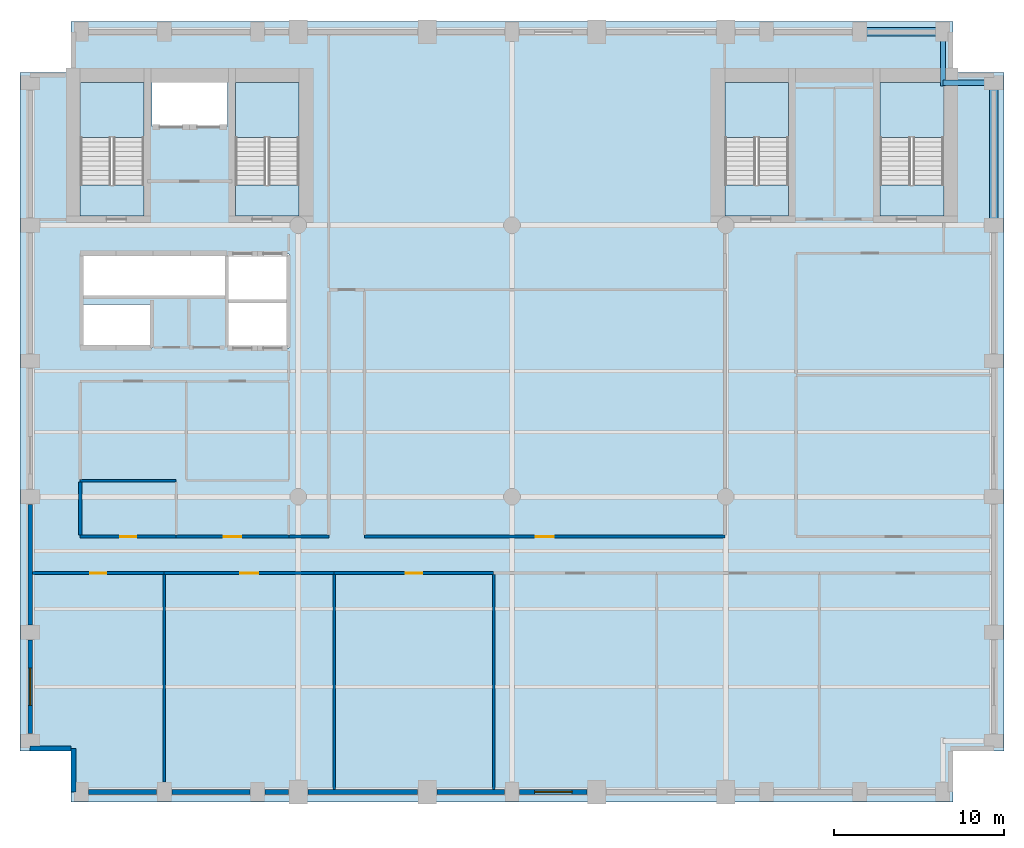
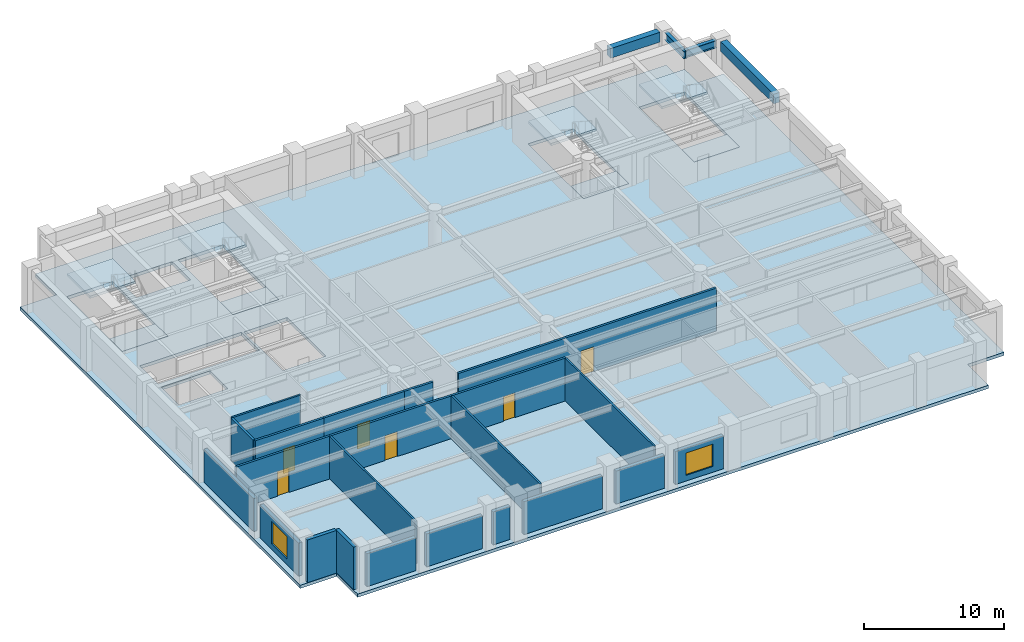
# One storey, part 2 of 8: 22 walls, 9 slabs, 6 doors, 4 beams, 2 windows, 8 openings, 4 elements without a shape of their own.
"""IFC4 building model written with IfcOpenShell, lengths in metres."""

from ifc_helpers import new_model, si_unit, direction, frame, frame_2d, origin, origin_2d, place, context, subcontext, project, spatial, polyline, rectangle, i_section, outline, extrude, material, layer, layer_set, material_profile, profile_set, type_object, element, fill, aggregate, save


model = new_model("IFC4")

# Units and contexts
model_context = context("Model", 3, precision=1e-05, world=origin(), true_north=direction((0.0, 1.0)))
body_context = subcontext(model_context, "Body", "Model", "MODEL_VIEW")
ifc_project = project(units=[si_unit("LENGTHUNIT", "METRE"), si_unit("AREAUNIT", "SQUARE_METRE"), si_unit("VOLUMEUNIT", "CUBIC_METRE"), si_unit("PLANEANGLEUNIT", "RADIAN"), si_unit("MASSUNIT", "GRAM", prefix="KILO")], contexts=[model_context])

# Site, building, storey
site_placement = place(None, origin())
site = spatial("IfcSite", under=ifc_project, at=site_placement, CompositionType="ELEMENT")
building_placement = place(site_placement, origin())
building = spatial("IfcBuilding", under=site, at=building_placement, Name="Sulina Concourse Tower", CompositionType="ELEMENT")
storey_placement = place(building_placement, frame((0.0, 0.0, 100.60009765625)))
storey = spatial("IfcBuildingStorey", under=building, at=storey_placement, Name="L24", CompositionType="ELEMENT", Elevation=100.60009765625)

# Beams
ifc_material_1 = material(Name="Steel S355", Category="steel")
ifc_material_profile_1 = material_profile(ifc_material_1, i_section(OverallWidth=0.300048828125, OverallDepth=0.64990234375, WebThickness=0.01611328125, FlangeThickness=0.031005859375, at=origin_2d()), Name="HE 650 B")
ifc_profile_set_1 = profile_set([ifc_material_profile_1], Name="Steel S355")
beam_type_1 = type_object("IfcBeamType", Name="Floor Primary Girder Zone 2 HE650B", PredefinedType="BEAM", material=ifc_profile_set_1)
beam_1_placement = place(storey_placement, frame((54.39990234375, 42.39990234375, 3.39990234375), z_axis=(1.0, 0.0, 0.0), x_axis=(0.0, 1.0, 0.0)))
element("IfcBeam", 1, at=beam_1_placement, inside=storey, type_object=beam_type_1, Name="TIE-NE-L24", PredefinedType="BEAM", context=body_context, shape_type="SweptSolid", body=[
    extrude(i_section(OverallWidth=0.300048828125, OverallDepth=0.64990234375, WebThickness=0.01611328125, FlangeThickness=0.031005859375, at=origin_2d()), origin(), (0.0, 0.0, 1.0), 2.59521484375),
])
beam_2_placement = place(storey_placement, frame((54.39990234375, 42.199951171875, 3.39990234375), z_axis=(0.0, 1.0, 0.0), x_axis=(-1.0, 0.0, 0.0)))
element("IfcBeam", 2, at=beam_2_placement, inside=storey, type_object=beam_type_1, Name="TIE-NEN-L24", PredefinedType="BEAM", context=body_context, shape_type="SweptSolid", body=[
    extrude(i_section(OverallWidth=0.300048828125, OverallDepth=0.64990234375, WebThickness=0.01611328125, FlangeThickness=0.031005859375, at=origin_2d()), origin(), (0.0, 0.0, 1.0), 2.795166015625),
])
ifc_material_2 = material(Name="Precast concrete C50/60", Category="concrete")
ifc_material_profile_2 = material_profile(ifc_material_2, rectangle(XDim=0.5, YDim=0.85009765625, at=origin_2d()), Name="RC 500x850")
ifc_profile_set_2 = profile_set([ifc_material_profile_2], Name="Precast concrete C50/60")
beam_type_2 = type_object("IfcBeamType", Name="Lower Precast Spandrel Edge Beam 500x850", PredefinedType="BEAM", material=ifc_profile_set_2)
beam_3_placement = place(storey_placement, frame((49.905029296875, 45.39990234375, 3.2998046875), z_axis=(1.0, 0.0, 0.0), x_axis=(0.0, 1.0, 0.0)))
element("IfcBeam", 3, at=beam_3_placement, inside=storey, type_object=beam_type_2, Name="SP-N10-L24", PredefinedType="BEAM", context=body_context, shape_type="SweptSolid", body=[
    extrude(rectangle(XDim=0.5, YDim=0.85009765625, at=origin_2d()), origin(), (0.0, 0.0, 1.0), 4.090087890625),
])
beam_4_placement = place(storey_placement, frame((57.39990234375, 34.405029296875, 3.2998046875), z_axis=(0.0, 1.0, 0.0), x_axis=(-1.0, 0.0, 0.0)))
element("IfcBeam", 4, at=beam_4_placement, inside=storey, type_object=beam_type_2, Name="SP-E5-L24", PredefinedType="BEAM", context=body_context, shape_type="SweptSolid", body=[
    extrude(rectangle(XDim=0.5, YDim=0.85009765625, at=origin_2d()), origin(), (0.0, 0.0, 1.0), 7.590087890625),
])

# Slabs
ifc_material_3 = material(Name="Concrete C50/60", Category="concrete")
ifc_layer_1 = layer(ifc_material_3, 0.27490234375)
ifc_layer_set_1 = layer_set([ifc_layer_1], Name="Concrete C50/60")
slab_type_1 = type_object("IfcSlabType", Name="Mid-Rise Composite Floor Slab 275mm", PredefinedType="FLOOR", material=ifc_layer_set_1)
slab_1_placement = place(storey_placement, frame((0.0, 0.0, -0.275146484375)))
element("IfcSlab", 5, at=slab_1_placement, inside=storey, type_object=slab_type_1, Name="L24 structural floor slab", PredefinedType="FLOOR", context=body_context, shape_type="SweptSolid", body=[
    extrude(outline(polyline([(3.0, 0.0), (55.0, 0.0), (55.0, 3.0), (58.0, 3.0), (58.0, 43.0), (55.0, 43.0), (55.0, 46.0), (3.0, 46.0), (3.0, 43.0), (0.0, 43.0), (0.0, 3.0), (3.0, 3.0), (3.0, 0.0)]), holes=[polyline([(7.31005859375, 34.550048828125), (7.31005859375, 42.429931640625), (3.550048828125, 42.429931640625), (3.550048828125, 34.550048828125), (7.31005859375, 34.550048828125)]), polyline([(16.449951171875, 34.550048828125), (16.449951171875, 42.429931640625), (12.68994140625, 42.429931640625), (12.68994140625, 34.550048828125), (16.449951171875, 34.550048828125)]), polyline([(45.31005859375, 34.550048828125), (45.31005859375, 42.429931640625), (41.550048828125, 42.429931640625), (41.550048828125, 34.550048828125), (45.31005859375, 34.550048828125)]), polyline([(54.449951171875, 34.550048828125), (54.449951171875, 42.429931640625), (50.68994140625, 42.429931640625), (50.68994140625, 34.550048828125), (54.449951171875, 34.550048828125)]), polyline([(7.780029296875, 39.830078125), (12.219970703125, 39.830078125), (12.219970703125, 42.449951171875), (7.780029296875, 42.449951171875), (7.780029296875, 39.830078125)]), polyline([(3.739990234375, 26.780029296875), (7.77001953125, 26.780029296875), (7.77001953125, 29.320068359375), (3.739990234375, 29.320068359375), (3.739990234375, 26.780029296875)]), polyline([(3.739990234375, 29.780029296875), (12.10009765625, 29.780029296875), (12.10009765625, 32.3701171875), (3.739990234375, 32.3701171875), (3.739990234375, 29.780029296875)]), polyline([(12.280029296875, 26.780029296875), (15.85009765625, 26.780029296875), (15.85009765625, 32.320068359375), (12.280029296875, 32.320068359375), (12.280029296875, 26.780029296875)])]), origin(), (0.0, 0.0, 1.0), 0.275146484375),
])
ifc_material_4 = material(Name="Concrete C50/60", Category="concrete")
ifc_layer_2 = layer(ifc_material_4, 0.199951171875)
ifc_layer_set_2 = layer_set([ifc_layer_2], Name="Concrete C50/60")
slab_type_2 = type_object("IfcSlabType", Name="Primary Core Stair Landing Slab 200mm", PredefinedType="LANDING", material=ifc_layer_set_2)
slab_2_placement = place(storey_placement, frame((0.0, 0.0, -0.2001953125)))
element("IfcSlab", 6, at=slab_2_placement, inside=storey, type_object=slab_type_2, Name="L24 ST-1 floor landing slab", PredefinedType="LANDING", context=body_context, shape_type="SweptSolid", body=[
    extrude(outline(polyline([(7.31005859375, 34.550048828125), (7.31005859375, 36.375), (3.550048828125, 36.375), (3.550048828125, 34.550048828125), (7.31005859375, 34.550048828125)])), origin(), (0.0, 0.0, 1.0), 0.2001953125),
])
slab_3_placement = place(storey_placement, frame((0.0, 0.0, -0.2001953125)))
element("IfcSlab", 7, at=slab_3_placement, inside=storey, type_object=slab_type_2, Name="L24 ST-2 floor landing slab", PredefinedType="LANDING", context=body_context, shape_type="SweptSolid", body=[
    extrude(outline(polyline([(16.449951171875, 34.550048828125), (16.449951171875, 36.375), (12.68994140625, 36.375), (12.68994140625, 34.550048828125), (16.449951171875, 34.550048828125)])), origin(), (0.0, 0.0, 1.0), 0.2001953125),
])
slab_4_placement = place(storey_placement, frame((0.0, 0.0, -0.2001953125)))
element("IfcSlab", 8, at=slab_4_placement, inside=storey, type_object=slab_type_2, Name="L24 ST-3 floor landing slab", PredefinedType="LANDING", context=body_context, shape_type="SweptSolid", body=[
    extrude(outline(polyline([(45.31005859375, 34.550048828125), (45.31005859375, 36.375), (41.550048828125, 36.375), (41.550048828125, 34.550048828125), (45.31005859375, 34.550048828125)])), origin(), (0.0, 0.0, 1.0), 0.2001953125),
])
slab_5_placement = place(storey_placement, frame((0.0, 0.0, -0.2001953125)))
element("IfcSlab", 9, at=slab_5_placement, inside=storey, type_object=slab_type_2, Name="L24 ST-4 floor landing slab", PredefinedType="LANDING", context=body_context, shape_type="SweptSolid", body=[
    extrude(outline(polyline([(54.449951171875, 34.550048828125), (54.449951171875, 36.375), (50.68994140625, 36.375), (50.68994140625, 34.550048828125), (54.449951171875, 34.550048828125)])), origin(), (0.0, 0.0, 1.0), 0.2001953125),
])

# Stair, slab
ifc_material_5 = material(Name="Concrete C50/60", Category="concrete")
stair_type_1 = type_object("IfcStairType", Name="Primary Core Dog-Leg Exit Stair 1800mm", PredefinedType="HALF_TURN_STAIR", material=ifc_material_5)
stair_1_placement = place(storey_placement, origin())
stair_1 = element("IfcStair", 10, at=stair_1_placement, inside=storey, type_object=stair_type_1, Name="L24 ST-1", PredefinedType="HALF_TURN_STAIR")
slab_6_placement = place(storey_placement, frame((0.0, 0.0, 1.7998046875)))
slab_6 = element("IfcSlab", 11, at=slab_6_placement, type_object=slab_type_2, Name="ST-1 landing 1", PredefinedType="LANDING", context=body_context, shape_type="SweptSolid", body=[
    extrude(outline(polyline([(7.304931640625, 39.175048828125), (7.304931640625, 42.425048828125), (3.554931640625, 42.425048828125), (3.554931640625, 39.175048828125), (7.304931640625, 39.175048828125)])), origin(), (0.0, 0.0, 1.0), 0.2001953125),
])
aggregate(stair_1, [slab_6])

stair_2_placement = place(storey_placement, origin())
stair_2 = element("IfcStair", 12, at=stair_2_placement, inside=storey, type_object=stair_type_1, Name="L24 ST-2", PredefinedType="HALF_TURN_STAIR")
slab_7_placement = place(storey_placement, frame((0.0, 0.0, 1.7998046875)))
slab_7 = element("IfcSlab", 13, at=slab_7_placement, type_object=slab_type_2, Name="ST-2 landing 1", PredefinedType="LANDING", context=body_context, shape_type="SweptSolid", body=[
    extrude(outline(polyline([(16.445068359375, 39.175048828125), (16.445068359375, 42.425048828125), (12.695068359375, 42.425048828125), (12.695068359375, 39.175048828125), (16.445068359375, 39.175048828125)])), origin(), (0.0, 0.0, 1.0), 0.2001953125),
])
aggregate(stair_2, [slab_7])

ifc_material_6 = material(Name="Concrete C50/60", Category="concrete")
stair_type_2 = type_object("IfcStairType", Name="Portal & Podium Core Exit Stair 1820mm", PredefinedType="HALF_TURN_STAIR", material=ifc_material_6)
stair_3_placement = place(storey_placement, origin())
stair_3 = element("IfcStair", 14, at=stair_3_placement, inside=storey, type_object=stair_type_2, Name="L24 ST-3", PredefinedType="HALF_TURN_STAIR")
slab_8_placement = place(storey_placement, frame((0.0, 0.0, 1.7998046875)))
slab_8 = element("IfcSlab", 15, at=slab_8_placement, type_object=slab_type_2, Name="ST-3 landing 1", PredefinedType="LANDING", context=body_context, shape_type="SweptSolid", body=[
    extrude(outline(polyline([(45.304931640625, 39.175048828125), (45.304931640625, 42.425048828125), (41.554931640625, 42.425048828125), (41.554931640625, 39.175048828125), (45.304931640625, 39.175048828125)])), origin(), (0.0, 0.0, 1.0), 0.2001953125),
])
aggregate(stair_3, [slab_8])

stair_4_placement = place(storey_placement, origin())
stair_4 = element("IfcStair", 16, at=stair_4_placement, inside=storey, type_object=stair_type_2, Name="L24 ST-4", PredefinedType="HALF_TURN_STAIR")
slab_9_placement = place(storey_placement, frame((0.0, 0.0, 1.7998046875)))
slab_9 = element("IfcSlab", 17, at=slab_9_placement, type_object=slab_type_2, Name="ST-4 landing 1", PredefinedType="LANDING", context=body_context, shape_type="SweptSolid", body=[
    extrude(outline(polyline([(54.445068359375, 39.175048828125), (54.445068359375, 42.425048828125), (50.695068359375, 42.425048828125), (50.695068359375, 39.175048828125), (54.445068359375, 39.175048828125)])), origin(), (0.0, 0.0, 1.0), 0.2001953125),
])
aggregate(stair_4, [slab_9])

# Walls
ifc_material_7 = material(Name="Gypsum board on steel stud", Category="steel")
ifc_layer_3 = layer(ifc_material_7, 0.14990234375)
ifc_layer_set_3 = layer_set([ifc_layer_3], Name="Gypsum board on steel stud")
wall_type_1 = type_object("IfcWallType", Name="Inter-Tenancy Acoustic Partition 150mm", PredefinedType="PARTITIONING", material=ifc_layer_set_3)
wall_1_placement = place(storey_placement, frame((3.550048828125, 18.949951171875, 0.0), z_axis=(0.0, 0.0, 1.0), x_axis=(1.0, 0.0, 0.0)))
element("IfcWall", 18, at=wall_1_placement, inside=storey, type_object=wall_type_1, Name="L24 interior partition 012", PredefinedType="PARTITIONING", context=body_context, shape_type="SweptSolid", body=[
    extrude(rectangle(XDim=5.64990234375, YDim=0.14990234375, at=frame_2d((2.824951171875, 0.0))), origin(), (0.0, 0.0, 1.0), 3.724853515625),
])
wall_2_placement = place(storey_placement, frame((8.5, 1.175048828125, 0.0), z_axis=(0.0, 0.0, 1.0), x_axis=(0.0, 1.0, 0.0)))
element("IfcWall", 19, at=wall_2_placement, inside=storey, type_object=wall_type_1, Name="L24 interior partition 028", PredefinedType="PARTITIONING", context=body_context, shape_type="SweptSolid", body=[
    extrude(rectangle(XDim=12.23486328125, YDim=0.14990234375, at=frame_2d((6.117431640625, 0.0))), origin(), (0.0, 0.0, 1.0), 3.724853515625),
])
for number, where, z_axis, x_axis, name in (
    (20, (18.52001953125, 0.739990234375, 0.0), (0.0, 0.0, 1.0), (0.0, 1.0, 0.0), "L24 interior partition 038"),
    (21, (27.919921875, 0.739990234375, 0.0), (0.0, 0.0, 1.0), (0.0, 1.0, 0.0), "L24 interior partition 040"),
):
    element("IfcWall", number, at=place(storey_placement, frame(where, z_axis=z_axis, x_axis=x_axis)), inside=storey, type_object=wall_type_1, Name=name, PredefinedType="PARTITIONING", context=body_context, shape_type="SweptSolid", body=[
        extrude(rectangle(XDim=12.669921875, YDim=0.14990234375, at=frame_2d((6.3349609375, 0.0))), origin(), (0.0, 0.0, 1.0), 3.724853515625),
    ])

# Wall, opening, door
ifc_material_8 = material(Name="Gypsum board on steel stud", Category="steel")
ifc_layer_4 = layer(ifc_material_8, 0.179931640625)
ifc_layer_set_4 = layer_set([ifc_layer_4], Name="Gypsum board on steel stud")
wall_type_2 = type_object("IfcWallType", Name="Protected Corridor & Riser Partition 180mm", PredefinedType="PARTITIONING", material=ifc_layer_set_4)
wall_3_placement = place(storey_placement, frame((0.739990234375, 13.5, 0.0), z_axis=(0.0, 0.0, 1.0), x_axis=(1.0, 0.0, 0.0)))
wall_3 = element("IfcWall", 22, at=wall_3_placement, inside=storey, type_object=wall_type_2, Name="L24 interior partition 001", PredefinedType="PARTITIONING", context=body_context, shape_type="SweptSolid", body=[
    extrude(rectangle(XDim=7.760009765625, YDim=0.179931640625, at=frame_2d((3.8798828125, 0.0))), origin(), (0.0, 0.0, 1.0), 3.724853515625),
])
opening_1_placement = place(wall_3_placement, frame((3.405029296875, 0.0, 0.0)))
opening_1 = element("IfcOpeningElement", 23, at=opening_1_placement, cuts=wall_3, Name="Opening DR-19", PredefinedType="OPENING", context=body_context, shape_type="SweptSolid", body=[
    extrude(rectangle(XDim=0.949951171875, YDim=2.14990234375, at=frame_2d((0.47509765625, 1.074951171875))), frame((0.0, 0.099853515625, 0.0), z_axis=(0.0, -1.0, 0.0), x_axis=(1.0, 0.0, 0.0)), (0.0, 0.0, 1.0), 0.199951171875),
])
ifc_material_9 = material(Name="Oak-veneered acoustic timber leaf", Category="wood")
ifc_layer_5 = layer(ifc_material_9, 0.050048828125)
ifc_layer_set_5 = layer_set([ifc_layer_5], Name="Oak-veneered acoustic timber leaf")
door_type_1 = type_object("IfcDoorType", Name="Cellular Office & Meeting Door 950x2150", OperationType="NOTDEFINED", PredefinedType="DOOR", material=ifc_layer_set_5)
door_1_placement = place(opening_1_placement, origin())
door_1 = element("IfcDoor", 24, at=door_1_placement, inside=storey, type_object=door_type_1, Name="L24 interior door L24-S01", OperationType="SINGLE_SWING_RIGHT", OverallHeight=2.14990234375, OverallWidth=0.949951171875, PredefinedType="DOOR", context=body_context, shape_type="SweptSolid", body=[
    extrude(rectangle(XDim=0.949951171875, YDim=2.14990234375, at=frame_2d((0.47509765625, 1.074951171875))), frame((0.0, 0.02490234375, 0.0), z_axis=(0.0, -1.0, 0.0), x_axis=(1.0, 0.0, 0.0)), (0.0, 0.0, 1.0), 0.050048828125),
])
fill(opening_1, door_1)

wall_4_placement = place(storey_placement, frame((8.5, 13.5, 0.0), z_axis=(0.0, 0.0, 1.0), x_axis=(1.0, 0.0, 0.0)))
wall_4 = element("IfcWall", 25, at=wall_4_placement, inside=storey, type_object=wall_type_2, Name="L24 interior partition 002", PredefinedType="PARTITIONING", context=body_context, shape_type="SweptSolid", body=[
    extrude(rectangle(XDim=10.02001953125, YDim=0.179931640625, at=frame_2d((5.010009765625, 0.0))), origin(), (0.0, 0.0, 1.0), 3.724853515625),
])
opening_2_placement = place(wall_4_placement, frame((4.485107421875, 0.0, 0.0)))
opening_2 = element("IfcOpeningElement", 26, at=opening_2_placement, cuts=wall_4, Name="Opening DR-37", PredefinedType="OPENING", context=body_context, shape_type="SweptSolid", body=[
    extrude(rectangle(XDim=1.050048828125, YDim=2.14990234375, at=frame_2d((0.52490234375, 1.074951171875))), frame((0.0, 0.099853515625, 0.0), z_axis=(0.0, -1.0, 0.0), x_axis=(1.0, 0.0, 0.0)), (0.0, 0.0, 1.0), 0.199951171875),
])
ifc_material_10 = material(Name="Oak-veneered fire door leaf")
ifc_layer_6 = layer(ifc_material_10, 0.050048828125)
ifc_layer_set_6 = layer_set([ifc_layer_6], Name="Oak-veneered fire door leaf")
door_type_2 = type_object("IfcDoorType", Name="Tenant Suite Entrance Fire Door 1050x2150", OperationType="NOTDEFINED", PredefinedType="DOOR", material=ifc_layer_set_6)
door_2_placement = place(opening_2_placement, origin())
door_2 = element("IfcDoor", 27, at=door_2_placement, inside=storey, type_object=door_type_2, Name="L24 interior door L24-S02", OperationType="SINGLE_SWING_LEFT", OverallHeight=2.14990234375, OverallWidth=1.050048828125, PredefinedType="DOOR", context=body_context, shape_type="SweptSolid", body=[
    extrude(rectangle(XDim=1.050048828125, YDim=2.14990234375, at=frame_2d((0.52490234375, 1.074951171875))), frame((0.0, 0.02490234375, 0.0), z_axis=(0.0, -1.0, 0.0), x_axis=(1.0, 0.0, 0.0)), (0.0, 0.0, 1.0), 0.050048828125),
])
fill(opening_2, door_2)

wall_5_placement = place(storey_placement, frame((18.52001953125, 13.5, 0.0), z_axis=(0.0, 0.0, 1.0), x_axis=(1.0, 0.0, 0.0)))
wall_5 = element("IfcWall", 28, at=wall_5_placement, inside=storey, type_object=wall_type_2, Name="L24 interior partition 003", PredefinedType="PARTITIONING", context=body_context, shape_type="SweptSolid", body=[
    extrude(rectangle(XDim=9.39990234375, YDim=0.179931640625, at=frame_2d((4.699951171875, 0.0))), origin(), (0.0, 0.0, 1.0), 3.724853515625),
])
opening_3_placement = place(wall_5_placement, frame((4.22509765625, 0.0, 0.0)))
opening_3 = element("IfcOpeningElement", 29, at=opening_3_placement, cuts=wall_5, Name="Opening DR-19", PredefinedType="OPENING", context=body_context, shape_type="SweptSolid", body=[
    extrude(rectangle(XDim=0.949951171875, YDim=2.14990234375, at=frame_2d((0.47509765625, 1.074951171875))), frame((0.0, 0.099853515625, 0.0), z_axis=(0.0, -1.0, 0.0), x_axis=(1.0, 0.0, 0.0)), (0.0, 0.0, 1.0), 0.199951171875),
])
door_3_placement = place(opening_3_placement, origin())
door_3 = element("IfcDoor", 30, at=door_3_placement, inside=storey, type_object=door_type_1, Name="L24 interior door L24-S03", OperationType="SINGLE_SWING_RIGHT", OverallHeight=2.14990234375, OverallWidth=0.949951171875, PredefinedType="DOOR", context=body_context, shape_type="SweptSolid", body=[
    extrude(rectangle(XDim=0.949951171875, YDim=2.14990234375, at=frame_2d((0.47509765625, 1.074951171875))), frame((0.0, 0.02490234375, 0.0), z_axis=(0.0, -1.0, 0.0), x_axis=(1.0, 0.0, 0.0)), (0.0, 0.0, 1.0), 0.050048828125),
])
fill(opening_3, door_3)

wall_6_placement = place(storey_placement, frame((3.550048828125, 15.64990234375, 0.0), z_axis=(0.0, 0.0, 1.0), x_axis=(1.0, 0.0, 0.0)))
wall_6 = element("IfcWall", 31, at=wall_6_placement, inside=storey, type_object=wall_type_2, Name="L24 interior partition 007", PredefinedType="PARTITIONING", context=body_context, shape_type="SweptSolid", body=[
    extrude(rectangle(XDim=5.64990234375, YDim=0.179931640625, at=frame_2d((2.824951171875, 0.0))), origin(), (0.0, 0.0, 1.0), 3.724853515625),
])
opening_4_placement = place(wall_6_placement, frame((2.35009765625, 0.0, 0.0)))
opening_4 = element("IfcOpeningElement", 32, at=opening_4_placement, cuts=wall_6, Name="Opening DR-19", PredefinedType="OPENING", context=body_context, shape_type="SweptSolid", body=[
    extrude(rectangle(XDim=0.949951171875, YDim=2.14990234375, at=frame_2d((0.47509765625, 1.074951171875))), frame((0.0, 0.099853515625, 0.0), z_axis=(0.0, -1.0, 0.0), x_axis=(1.0, 0.0, 0.0)), (0.0, 0.0, 1.0), 0.199951171875),
])
door_4_placement = place(opening_4_placement, origin())
door_4 = element("IfcDoor", 33, at=door_4_placement, inside=storey, type_object=door_type_1, Name="L24 interior door L24-WSB-1", OperationType="SINGLE_SWING_RIGHT", OverallHeight=2.14990234375, OverallWidth=0.949951171875, PredefinedType="DOOR", context=body_context, shape_type="SweptSolid", body=[
    extrude(rectangle(XDim=0.949951171875, YDim=2.14990234375, at=frame_2d((0.47509765625, 1.074951171875))), frame((0.0, 0.02490234375, 0.0), z_axis=(0.0, -1.0, 0.0), x_axis=(1.0, 0.0, 0.0)), (0.0, 0.0, 1.0), 0.050048828125),
])
fill(opening_4, door_4)

wall_7_placement = place(storey_placement, frame((9.199951171875, 15.64990234375, 0.0), z_axis=(0.0, 0.0, 1.0), x_axis=(1.0, 0.0, 0.0)))
wall_7 = element("IfcWall", 34, at=wall_7_placement, inside=storey, type_object=wall_type_2, Name="L24 interior partition 008", PredefinedType="PARTITIONING", context=body_context, shape_type="SweptSolid", body=[
    extrude(rectangle(XDim=6.650146484375, YDim=0.179931640625, at=frame_2d((3.3251953125, 0.0))), origin(), (0.0, 0.0, 1.0), 3.724853515625),
])
opening_5_placement = place(wall_7_placement, frame((2.800048828125, 0.0, 0.0)))
opening_5 = element("IfcOpeningElement", 35, at=opening_5_placement, cuts=wall_7, Name="Opening DR-37", PredefinedType="OPENING", context=body_context, shape_type="SweptSolid", body=[
    extrude(rectangle(XDim=1.050048828125, YDim=2.14990234375, at=frame_2d((0.52490234375, 1.074951171875))), frame((0.0, 0.099853515625, 0.0), z_axis=(0.0, -1.0, 0.0), x_axis=(1.0, 0.0, 0.0)), (0.0, 0.0, 1.0), 0.199951171875),
])
door_5_placement = place(opening_5_placement, origin())
door_5 = element("IfcDoor", 36, at=door_5_placement, inside=storey, type_object=door_type_2, Name="L24 interior door L24-WSB-2", OperationType="SINGLE_SWING_LEFT", OverallHeight=2.14990234375, OverallWidth=1.050048828125, PredefinedType="DOOR", context=body_context, shape_type="SweptSolid", body=[
    extrude(rectangle(XDim=1.050048828125, YDim=2.14990234375, at=frame_2d((0.52490234375, 1.074951171875))), frame((0.0, 0.02490234375, 0.0), z_axis=(0.0, -1.0, 0.0), x_axis=(1.0, 0.0, 0.0)), (0.0, 0.0, 1.0), 0.050048828125),
])
fill(opening_5, door_5)

# Wall
wall_8_placement = place(storey_placement, frame((15.85009765625, 15.64990234375, 0.0), z_axis=(0.0, 0.0, 1.0), x_axis=(1.0, 0.0, 0.0)))
element("IfcWall", 37, at=wall_8_placement, inside=storey, type_object=wall_type_2, Name="L24 interior partition 009", PredefinedType="PARTITIONING", context=body_context, shape_type="SweptSolid", body=[
    extrude(rectangle(XDim=2.349853515625, YDim=0.179931640625, at=frame_2d((1.1748046875, 0.0))), origin(), (0.0, 0.0, 1.0), 3.724853515625),
])

# Wall, opening, door
wall_9_placement = place(storey_placement, frame((20.300048828125, 15.64990234375, 0.0), z_axis=(0.0, 0.0, 1.0), x_axis=(1.0, 0.0, 0.0)))
wall_9 = element("IfcWall", 38, at=wall_9_placement, inside=storey, type_object=wall_type_2, Name="L24 interior partition 010", PredefinedType="PARTITIONING", context=body_context, shape_type="SweptSolid", body=[
    extrude(rectangle(XDim=21.25, YDim=0.179931640625, at=frame_2d((10.625, 0.0))), origin(), (0.0, 0.0, 1.0), 3.724853515625),
])
opening_6_placement = place(wall_9_placement, frame((10.10009765625, 0.0, 0.0)))
opening_6 = element("IfcOpeningElement", 39, at=opening_6_placement, cuts=wall_9, Name="Opening DR-37", PredefinedType="OPENING", context=body_context, shape_type="SweptSolid", body=[
    extrude(rectangle(XDim=1.050048828125, YDim=2.14990234375, at=frame_2d((0.52490234375, 1.074951171875))), frame((0.0, 0.099853515625, 0.0), z_axis=(0.0, -1.0, 0.0), x_axis=(1.0, 0.0, 0.0)), (0.0, 0.0, 1.0), 0.199951171875),
])
door_6_placement = place(opening_6_placement, origin())
door_6 = element("IfcDoor", 40, at=door_6_placement, inside=storey, type_object=door_type_2, Name="L24 interior door L24-NC3", OperationType="SINGLE_SWING_RIGHT", OverallHeight=2.14990234375, OverallWidth=1.050048828125, PredefinedType="DOOR", context=body_context, shape_type="SweptSolid", body=[
    extrude(rectangle(XDim=1.050048828125, YDim=2.14990234375, at=frame_2d((0.52490234375, 1.074951171875))), frame((0.0, 0.02490234375, 0.0), z_axis=(0.0, -1.0, 0.0), x_axis=(1.0, 0.0, 0.0)), (0.0, 0.0, 1.0), 0.050048828125),
])
fill(opening_6, door_6)

# Walls
wall_10_placement = place(storey_placement, frame((3.550048828125, 15.739990234375, 0.0), z_axis=(0.0, 0.0, 1.0), x_axis=(0.0, 1.0, 0.0)))
element("IfcWall", 41, at=wall_10_placement, inside=storey, type_object=wall_type_2, Name="L24 interior partition 026", PredefinedType="PARTITIONING", context=body_context, shape_type="SweptSolid", body=[
    extrude(rectangle(XDim=3.135009765625, YDim=0.179931640625, at=frame_2d((1.5673828125, 0.0))), origin(), (0.0, 0.0, 1.0), 3.724853515625),
])
ifc_material_11 = material(Name="Precast concrete C50/60", Category="concrete")
ifc_layer_7 = layer(ifc_material_11, 0.280029296875)
ifc_layer_set_7 = layer_set([ifc_layer_7], Name="Precast concrete C50/60")
wall_type_3 = type_object("IfcWallType", Name="Typical Precast Masonry-Frame Facade Wall 280mm", PredefinedType="SOLIDWALL", material=ifc_layer_set_7)
wall_11_placement = place(storey_placement, frame((8.054931640625, 0.60009765625, 0.0), z_axis=(0.0, 0.0, 1.0), x_axis=(-1.0, 0.0, 0.0)))
element("IfcWall", 42, at=wall_11_placement, inside=storey, type_object=wall_type_3, Name="L24 exterior precast wall S1", PredefinedType="SOLIDWALL", context=body_context, shape_type="SweptSolid", body=[
    extrude(rectangle(XDim=4.010009765625, YDim=0.280029296875, at=frame_2d((2.0048828125, 0.0))), origin(), (0.0, 0.0, 1.0), 2.875),
])
wall_12_placement = place(storey_placement, frame((13.554931640625, 0.60009765625, 0.0), z_axis=(0.0, 0.0, 1.0), x_axis=(-1.0, 0.0, 0.0)))
element("IfcWall", 43, at=wall_12_placement, inside=storey, type_object=wall_type_3, Name="L24 exterior precast wall S2", PredefinedType="SOLIDWALL", context=body_context, shape_type="SweptSolid", body=[
    extrude(rectangle(XDim=4.60986328125, YDim=0.280029296875, at=frame_2d((2.304931640625, 0.0))), origin(), (0.0, 0.0, 1.0), 2.875),
])
wall_13_placement = place(storey_placement, frame((15.830078125, 0.60009765625, 0.0), z_axis=(0.0, 0.0, 1.0), x_axis=(-1.0, 0.0, 0.0)))
element("IfcWall", 44, at=wall_13_placement, inside=storey, type_object=wall_type_3, Name="L24 exterior precast wall S3", PredefinedType="SOLIDWALL", context=body_context, shape_type="SweptSolid", body=[
    extrude(rectangle(XDim=1.385009765625, YDim=0.280029296875, at=frame_2d((0.6923828125, 0.0))), origin(), (0.0, 0.0, 1.0), 2.875),
])
wall_14_placement = place(storey_placement, frame((23.429931640625, 0.60009765625, 0.0), z_axis=(0.0, 0.0, 1.0), x_axis=(-1.0, 0.0, 0.0)))
element("IfcWall", 45, at=wall_14_placement, inside=storey, type_object=wall_type_3, Name="L24 exterior precast wall S4", PredefinedType="SOLIDWALL", context=body_context, shape_type="SweptSolid", body=[
    extrude(rectangle(XDim=6.4599609375, YDim=0.280029296875, at=frame_2d((3.22998046875, 0.0))), origin(), (0.0, 0.0, 1.0), 2.875),
])
wall_15_placement = place(storey_placement, frame((28.554931640625, 0.60009765625, 0.0), z_axis=(0.0, 0.0, 1.0), x_axis=(-1.0, 0.0, 0.0)))
element("IfcWall", 46, at=wall_15_placement, inside=storey, type_object=wall_type_3, Name="L24 exterior precast wall S5", PredefinedType="SOLIDWALL", context=body_context, shape_type="SweptSolid", body=[
    extrude(rectangle(XDim=3.98486328125, YDim=0.280029296875, at=frame_2d((1.992431640625, 0.0))), origin(), (0.0, 0.0, 1.0), 2.875),
])

# Wall, opening, window
wall_16_placement = place(storey_placement, frame((33.429931640625, 0.60009765625, 0.0), z_axis=(0.0, 0.0, 1.0), x_axis=(-1.0, 0.0, 0.0)))
wall_16 = element("IfcWall", 47, at=wall_16_placement, inside=storey, type_object=wall_type_3, Name="L24 exterior precast wall S6", PredefinedType="SOLIDWALL", context=body_context, shape_type="SweptSolid", body=[
    extrude(rectangle(XDim=3.98486328125, YDim=0.280029296875, at=frame_2d((1.992431640625, 0.0))), origin(), (0.0, 0.0, 1.0), 2.875),
])
opening_7_placement = place(wall_16_placement, frame((0.892578125, 0.0, 0.5)))
opening_7 = element("IfcOpeningElement", 48, at=opening_7_placement, cuts=wall_16, Name="Opening WN-76", PredefinedType="OPENING", context=body_context, shape_type="SweptSolid", body=[
    extrude(rectangle(XDim=2.199951171875, YDim=1.949951171875, at=frame_2d((1.10009765625, 0.97509765625))), frame((0.0, 0.14990234375, 0.0), z_axis=(0.0, -1.0, 0.0), x_axis=(1.0, 0.0, 0.0)), (0.0, 0.0, 1.0), 0.300048828125),
])
ifc_material_12 = material(Name="Low-E solar double glazing in bronze aluminium", Category="aluminium")
window_type = type_object("IfcWindowType", Name="Recessed Spandrel Window 2200x1950", PartitioningType="DOUBLE_PANEL_VERTICAL", PredefinedType="WINDOW", material=ifc_material_12)
window_1_placement = place(opening_7_placement, origin())
window_1 = element("IfcWindow", 49, at=window_1_placement, inside=storey, type_object=window_type, Name="L24 punched window S6-1", OverallHeight=1.949951171875, OverallWidth=2.199951171875, PartitioningType="SINGLE_PANEL", PredefinedType="WINDOW", context=body_context, shape_type="SweptSolid", body=[
    extrude(rectangle(XDim=2.199951171875, YDim=1.949951171875, at=frame_2d((1.10009765625, 0.97509765625))), frame((0.0, 0.030029296875, 0.0), z_axis=(0.0, -1.0, 0.0), x_axis=(1.0, 0.0, 0.0)), (0.0, 0.0, 1.0), 0.06005859375),
])
fill(opening_7, window_1)

wall_17_placement = place(storey_placement, frame((0.60009765625, 4.044921875, 0.0), z_axis=(0.0, 0.0, 1.0), x_axis=(0.0, 1.0, 0.0)))
wall_17 = element("IfcWall", 50, at=wall_17_placement, inside=storey, type_object=wall_type_3, Name="L24 exterior precast wall W1", PredefinedType="SOLIDWALL", context=body_context, shape_type="SweptSolid", body=[
    extrude(rectangle(XDim=5.510009765625, YDim=0.280029296875, at=frame_2d((2.7548828125, 0.0))), origin(), (0.0, 0.0, 1.0), 2.875),
])
opening_8_placement = place(wall_17_placement, frame((1.655029296875, 0.0, 0.5)))
opening_8 = element("IfcOpeningElement", 51, at=opening_8_placement, cuts=wall_17, Name="Opening WN-76", PredefinedType="OPENING", context=body_context, shape_type="SweptSolid", body=[
    extrude(rectangle(XDim=2.199951171875, YDim=1.949951171875, at=frame_2d((1.10009765625, 0.97509765625))), frame((0.0, 0.14990234375, 0.0), z_axis=(0.0, -1.0, 0.0), x_axis=(1.0, 0.0, 0.0)), (0.0, 0.0, 1.0), 0.300048828125),
])
window_2_placement = place(opening_8_placement, origin())
window_2 = element("IfcWindow", 52, at=window_2_placement, inside=storey, type_object=window_type, Name="L24 punched window W1-1", OverallHeight=1.949951171875, OverallWidth=2.199951171875, PartitioningType="SINGLE_PANEL", PredefinedType="WINDOW", context=body_context, shape_type="SweptSolid", body=[
    extrude(rectangle(XDim=2.199951171875, YDim=1.949951171875, at=frame_2d((1.10009765625, 0.97509765625))), frame((0.0, 0.030029296875, 0.0), z_axis=(0.0, -1.0, 0.0), x_axis=(1.0, 0.0, 0.0)), (0.0, 0.0, 1.0), 0.06005859375),
])
fill(opening_8, window_2)

# Walls
wall_18_placement = place(storey_placement, frame((0.60009765625, 10.445068359375, 0.0), z_axis=(0.0, 0.0, 1.0), x_axis=(0.0, 1.0, 0.0)))
element("IfcWall", 53, at=wall_18_placement, inside=storey, type_object=wall_type_3, Name="L24 exterior precast wall W2", PredefinedType="SOLIDWALL", context=body_context, shape_type="SweptSolid", body=[
    extrude(rectangle(XDim=7.10986328125, YDim=0.280029296875, at=frame_2d((3.554931640625, 0.0))), origin(), (0.0, 0.0, 1.0), 2.875),
])
wall_19_placement = place(storey_placement, frame((3.155029296875, 0.60009765625, 0.0), z_axis=(0.0, 0.0, 1.0), x_axis=(0.0, 1.0, 0.0)))
element("IfcWall", 54, at=wall_19_placement, inside=storey, type_object=wall_type_3, Name="L24 exterior precast wall CSW1", PredefinedType="SOLIDWALL", context=body_context, shape_type="SweptSolid", body=[
    extrude(rectangle(XDim=2.554931640625, YDim=0.280029296875, at=frame_2d((1.27734375, 0.0))), origin(), (0.0, 0.0, 1.0), 3.724853515625),
])
wall_20_placement = place(storey_placement, frame((3.010009765625, 3.155029296875, 0.0), z_axis=(0.0, 0.0, 1.0), x_axis=(-1.0, 0.0, 0.0)))
element("IfcWall", 55, at=wall_20_placement, inside=storey, type_object=wall_type_3, Name="L24 exterior precast wall CSW2", PredefinedType="SOLIDWALL", context=body_context, shape_type="SweptSolid", body=[
    extrude(rectangle(XDim=2.409912109375, YDim=0.280029296875, at=frame_2d((1.205078125, 0.0))), origin(), (0.0, 0.0, 1.0), 3.724853515625),
])

save(model, "model.ifc")
